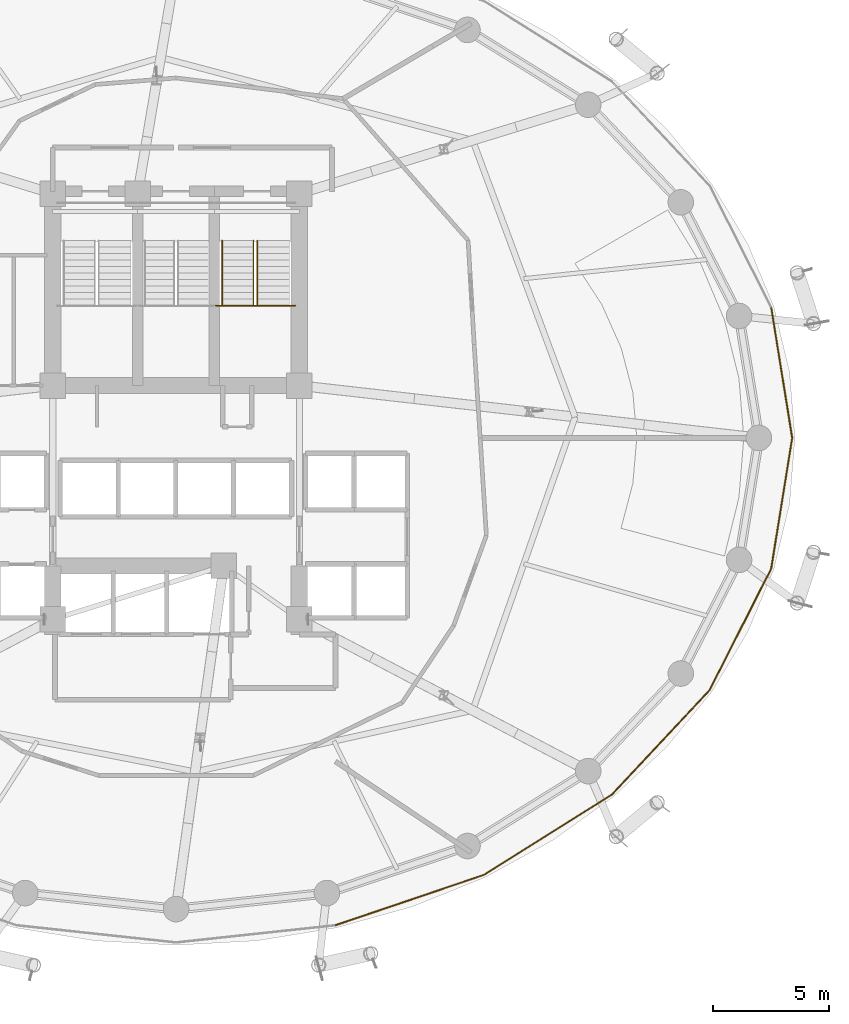
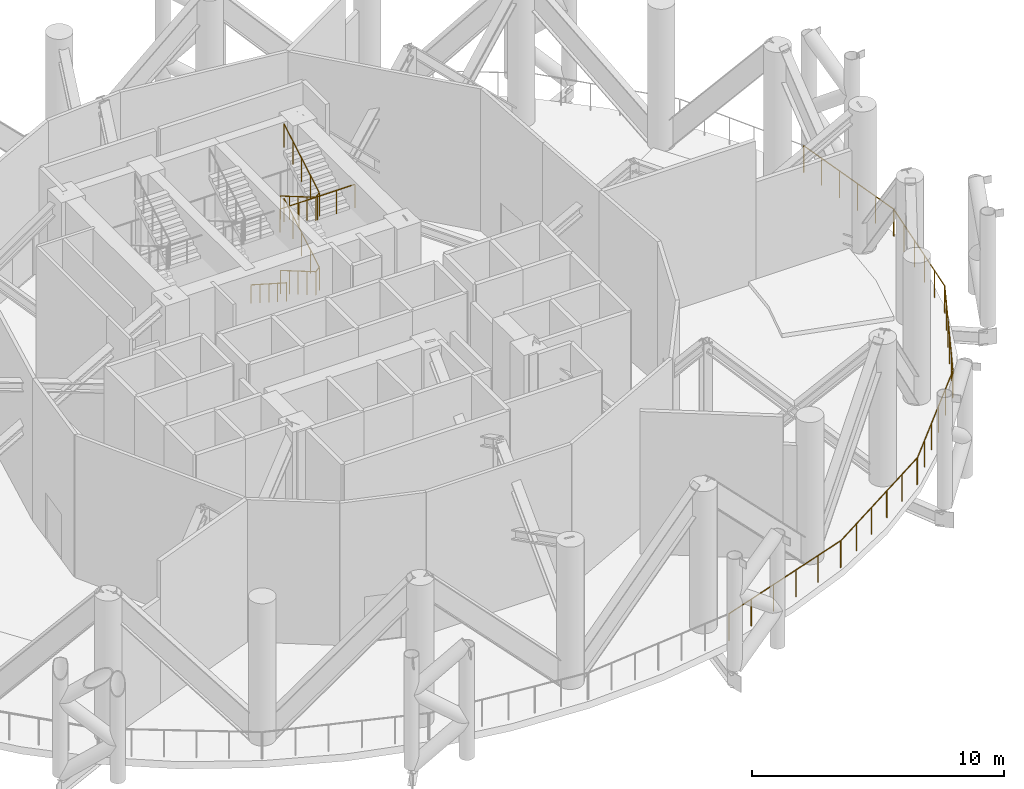
# One storey, part 17 of 19: 10 railings.
"""IFC4 building model written with IfcOpenShell, lengths in metres."""

from ifc_helpers import new_model, si_unit, direction, frame, origin, place, context, subcontext, project, spatial, polyline, outline, extrude, material, type_object, element, save


model = new_model("IFC4")

# Units and contexts
model_context = context("Model", 3, precision=1e-05, world=origin(), true_north=direction((0.0, 1.0)))
body_context = subcontext(model_context, "Body", "Model", "MODEL_VIEW")
ifc_project = project(units=[si_unit("LENGTHUNIT", "METRE"), si_unit("AREAUNIT", "SQUARE_METRE"), si_unit("VOLUMEUNIT", "CUBIC_METRE"), si_unit("PLANEANGLEUNIT", "RADIAN"), si_unit("MASSUNIT", "GRAM", prefix="KILO")], contexts=[model_context])

# Site, building, storey
site_placement = place(None, origin())
site = spatial("IfcSite", under=ifc_project, at=site_placement, CompositionType="ELEMENT")
building_placement = place(site_placement, origin())
building = spatial("IfcBuilding", under=site, at=building_placement, Name="Nuhasar Tower", CompositionType="ELEMENT")
storey_placement = place(building_placement, frame((0.0, 0.0, 106.050048828125)))
storey = spatial("IfcBuildingStorey", under=building, at=storey_placement, Name="L25", CompositionType="ELEMENT", Elevation=106.050048828125)

# Railings
ifc_material_1 = material(Name="Steel S355", Category="steel")
railing_type_1 = type_object("IfcRailingType", Name="RLG-STAIR-GUARD-1150", PredefinedType="GUARDRAIL", material=ifc_material_1)
railing_1_placement = place(storey_placement, frame((42.330078125, 35.284912109375, 0.1640625)))
element("IfcRailing", 1, at=railing_1_placement, inside=storey, type_object=railing_type_1, Name="L25 Stair ST-02 Guardrail SLT1", PredefinedType="GUARDRAIL", context=body_context, shape_type="SweptSolid", body=[
    extrude(outline(polyline([(0.024169921875, 0.0), (0.01708984375, 0.01708984375), (0.0, 0.024169921875), (-0.01708984375, 0.01708984375), (-0.024169921875, 0.0), (-0.01708984375, -0.01708984375), (0.0, -0.024169921875), (0.01708984375, -0.01708984375), (0.024169921875, 0.0)])), frame((0.0, 0.0, 1.1259765625), z_axis=(0.0, -0.863407295559, 0.504507524201), x_axis=(1.0, 0.0, 0.0)), (0.0, 0.0, 1.0), 3.24267578125),
    extrude(outline(polyline([(0.024169921875, 0.0), (0.01708984375, 0.01708984375), (0.0, 0.024169921875), (-0.01708984375, 0.01708984375), (-0.024169921875, 0.0), (-0.01708984375, -0.01708984375), (0.0, -0.024169921875), (0.01708984375, -0.01708984375), (0.024169921875, 0.0)])), frame((0.0, -2.7998046875, 2.76171875), z_axis=(0.69852372298, 0.0, 0.715586897892), x_axis=(0.0, 1.0, 0.0)), (0.0, 0.0, 1.0), 0.22900390625),
    extrude(outline(polyline([(0.024169921875, 0.0), (0.01708984375, 0.01708984375), (0.0, 0.024169921875), (-0.01708984375, 0.01708984375), (-0.024169921875, 0.0), (-0.01708984375, -0.01708984375), (0.0, -0.024169921875), (0.01708984375, -0.01708984375), (0.024169921875, 0.0)])), frame((0.159912109375, -2.7998046875, 2.92578125), z_axis=(0.0, 0.863407295559, 0.504507524201), x_axis=(-1.0, 0.0, 0.0)), (0.0, 0.0, 1.0), 3.24267578125),
    extrude(outline(polyline([(0.02099609375, 0.0), (0.014892578125, 0.014892578125), (0.0, 0.02099609375), (-0.014892578125, 0.014892578125), (-0.02099609375, 0.0), (-0.014892578125, -0.014892578125), (0.0, -0.02099609375), (0.014892578125, -0.014892578125), (0.02099609375, 0.0)])), origin(), (0.0, 0.0, 1.0), 1.101806640625),
    extrude(outline(polyline([(0.02099609375, 0.0), (0.014892578125, 0.014892578125), (0.0, 0.02099609375), (-0.014892578125, 0.014892578125), (-0.02099609375, 0.0), (-0.014892578125, -0.014892578125), (0.0, -0.02099609375), (0.014892578125, -0.014892578125), (0.02099609375, 0.0)])), frame((0.0, -0.699951171875, 0.408935546875)), (0.0, 0.0, 1.0), 1.101806640625),
    extrude(outline(polyline([(0.02099609375, 0.0), (0.014892578125, 0.014892578125), (0.0, 0.02099609375), (-0.014892578125, 0.014892578125), (-0.02099609375, 0.0), (-0.014892578125, -0.014892578125), (0.0, -0.02099609375), (0.014892578125, -0.014892578125), (0.02099609375, 0.0)])), frame((0.0, -1.39990234375, 0.81787109375)), (0.0, 0.0, 1.0), 1.101806640625),
    extrude(outline(polyline([(0.02099609375, 0.0), (0.014892578125, 0.014892578125), (0.0, 0.02099609375), (-0.014892578125, 0.014892578125), (-0.02099609375, 0.0), (-0.014892578125, -0.014892578125), (0.0, -0.02099609375), (0.014892578125, -0.014892578125), (0.02099609375, 0.0)])), frame((0.0, -2.099853515625, 1.22705078125)), (0.0, 0.0, 1.0), 1.101806640625),
    extrude(outline(polyline([(0.02099609375, 0.0), (0.014892578125, 0.014892578125), (0.0, 0.02099609375), (-0.014892578125, 0.014892578125), (-0.02099609375, 0.0), (-0.014892578125, -0.014892578125), (0.0, -0.02099609375), (0.014892578125, -0.014892578125), (0.02099609375, 0.0)])), frame((0.0, -2.7998046875, 1.635986328125)), (0.0, 0.0, 1.0), 1.101806640625),
    extrude(outline(polyline([(0.02099609375, 0.0), (0.014892578125, 0.014892578125), (0.0, 0.02099609375), (-0.014892578125, 0.014892578125), (-0.02099609375, 0.0), (-0.014892578125, -0.014892578125), (0.0, -0.02099609375), (0.014892578125, -0.014892578125), (0.02099609375, 0.0)])), frame((0.159912109375, -2.7998046875, 1.7998046875)), (0.0, 0.0, 1.0), 1.101806640625),
    extrude(outline(polyline([(0.02099609375, 0.0), (0.014892578125, 0.014892578125), (0.0, 0.02099609375), (-0.014892578125, 0.014892578125), (-0.02099609375, 0.0), (-0.014892578125, -0.014892578125), (0.0, -0.02099609375), (0.014892578125, -0.014892578125), (0.02099609375, 0.0)])), frame((0.159912109375, -2.099853515625, 2.208740234375)), (0.0, 0.0, 1.0), 1.101806640625),
    extrude(outline(polyline([(0.02099609375, 0.0), (0.014892578125, 0.014892578125), (0.0, 0.02099609375), (-0.014892578125, 0.014892578125), (-0.02099609375, 0.0), (-0.014892578125, -0.014892578125), (0.0, -0.02099609375), (0.014892578125, -0.014892578125), (0.02099609375, 0.0)])), frame((0.159912109375, -1.39990234375, 2.61767578125)), (0.0, 0.0, 1.0), 1.101806640625),
    extrude(outline(polyline([(0.02099609375, 0.0), (0.014892578125, 0.014892578125), (0.0, 0.02099609375), (-0.014892578125, 0.014892578125), (-0.02099609375, 0.0), (-0.014892578125, -0.014892578125), (0.0, -0.02099609375), (0.014892578125, -0.014892578125), (0.02099609375, 0.0)])), frame((0.159912109375, -0.699951171875, 3.02685546875)), (0.0, 0.0, 1.0), 1.101806640625),
    extrude(outline(polyline([(0.02099609375, 0.0), (0.014892578125, 0.014892578125), (0.0, 0.02099609375), (-0.014892578125, 0.014892578125), (-0.02099609375, 0.0), (-0.014892578125, -0.014892578125), (0.0, -0.02099609375), (0.014892578125, -0.014892578125), (0.02099609375, 0.0)])), frame((0.159912109375, 0.0, 3.435791015625)), (0.0, 0.0, 1.0), 1.101806640625),
])
railing_2_placement = place(storey_placement, frame((40.699951171875, 32.485107421875, 5.39990234375)))
element("IfcRailing", 2, at=railing_2_placement, inside=storey, type_object=railing_type_1, Name="L25 Stair ST-02 Guardrail LNDS2", PredefinedType="GUARDRAIL", context=body_context, shape_type="SweptSolid", body=[
    extrude(outline(polyline([(0.024169921875, 0.0), (0.01708984375, 0.01708984375), (0.0, 0.024169921875), (-0.01708984375, 0.01708984375), (-0.024169921875, 0.0), (-0.01708984375, -0.01708984375), (0.0, -0.024169921875), (0.01708984375, -0.01708984375), (0.024169921875, 0.0)])), frame((0.0, 0.0, 1.1259765625), z_axis=(1.0, 0.0, 0.0), x_axis=(0.0, 1.0, 0.0)), (0.0, 0.0, 1.0), 3.420166015625),
    extrude(outline(polyline([(0.02099609375, 0.0), (0.014892578125, 0.014892578125), (0.0, 0.02099609375), (-0.014892578125, 0.014892578125), (-0.02099609375, 0.0), (-0.014892578125, -0.014892578125), (0.0, -0.02099609375), (0.014892578125, -0.014892578125), (0.02099609375, 0.0)])), origin(), (0.0, 0.0, 1.0), 1.101806640625),
    extrude(outline(polyline([(0.02099609375, 0.0), (0.014892578125, 0.014892578125), (0.0, 0.02099609375), (-0.014892578125, 0.014892578125), (-0.02099609375, 0.0), (-0.014892578125, -0.014892578125), (0.0, -0.02099609375), (0.014892578125, -0.014892578125), (0.02099609375, 0.0)])), frame((0.85498046875, 0.0, 0.0)), (0.0, 0.0, 1.0), 1.101806640625),
    extrude(outline(polyline([(0.02099609375, 0.0), (0.014892578125, 0.014892578125), (0.0, 0.02099609375), (-0.014892578125, 0.014892578125), (-0.02099609375, 0.0), (-0.014892578125, -0.014892578125), (0.0, -0.02099609375), (0.014892578125, -0.014892578125), (0.02099609375, 0.0)])), frame((1.7099609375, 0.0, 0.0)), (0.0, 0.0, 1.0), 1.101806640625),
    extrude(outline(polyline([(0.02099609375, 0.0), (0.014892578125, 0.014892578125), (0.0, 0.02099609375), (-0.014892578125, 0.014892578125), (-0.02099609375, 0.0), (-0.014892578125, -0.014892578125), (0.0, -0.02099609375), (0.014892578125, -0.014892578125), (0.02099609375, 0.0)])), frame((2.565185546875, 0.0, 0.0)), (0.0, 0.0, 1.0), 1.101806640625),
    extrude(outline(polyline([(0.02099609375, 0.0), (0.014892578125, 0.014892578125), (0.0, 0.02099609375), (-0.014892578125, 0.014892578125), (-0.02099609375, 0.0), (-0.014892578125, -0.014892578125), (0.0, -0.02099609375), (0.014892578125, -0.014892578125), (0.02099609375, 0.0)])), frame((3.420166015625, 0.0, 0.0)), (0.0, 0.0, 1.0), 1.101806640625),
])
railing_3_placement = place(storey_placement, frame((42.330078125, 35.284912109375, 3.763916015625)))
element("IfcRailing", 3, at=railing_3_placement, inside=storey, type_object=railing_type_1, Name="L25 Stair ST-02 Guardrail SLT2", PredefinedType="GUARDRAIL", context=body_context, shape_type="SweptSolid", body=[
    extrude(outline(polyline([(0.024169921875, 0.0), (0.01708984375, 0.01708984375), (0.0, 0.024169921875), (-0.01708984375, 0.01708984375), (-0.024169921875, 0.0), (-0.01708984375, -0.01708984375), (0.0, -0.024169921875), (0.01708984375, -0.01708984375), (0.024169921875, 0.0)])), frame((0.0, 0.0, 1.1259765625), z_axis=(0.0, -0.863407295559, 0.504507524201), x_axis=(1.0, 0.0, 0.0)), (0.0, 0.0, 1.0), 3.24267578125),
    extrude(outline(polyline([(0.024169921875, 0.0), (0.01708984375, 0.01708984375), (0.0, 0.024169921875), (-0.01708984375, 0.01708984375), (-0.024169921875, 0.0), (-0.01708984375, -0.01708984375), (0.0, -0.024169921875), (0.01708984375, -0.01708984375), (0.024169921875, 0.0)])), frame((0.0, -2.7998046875, 2.76171875), z_axis=(0.697990867133, 0.0, 0.716106660631), x_axis=(0.0, 1.0, 0.0)), (0.0, 0.0, 1.0), 0.22900390625),
    extrude(outline(polyline([(0.024169921875, 0.0), (0.01708984375, 0.01708984375), (0.0, 0.024169921875), (-0.01708984375, 0.01708984375), (-0.024169921875, 0.0), (-0.01708984375, -0.01708984375), (0.0, -0.024169921875), (0.01708984375, -0.01708984375), (0.024169921875, 0.0)])), frame((0.159912109375, -2.7998046875, 2.92578125), z_axis=(0.0, 0.863407295559, 0.504507524201), x_axis=(-1.0, 0.0, 0.0)), (0.0, 0.0, 1.0), 3.24267578125),
    extrude(outline(polyline([(0.02099609375, 0.0), (0.014892578125, 0.014892578125), (0.0, 0.02099609375), (-0.014892578125, 0.014892578125), (-0.02099609375, 0.0), (-0.014892578125, -0.014892578125), (0.0, -0.02099609375), (0.014892578125, -0.014892578125), (0.02099609375, 0.0)])), origin(), (0.0, 0.0, 1.0), 1.101806640625),
    extrude(outline(polyline([(0.02099609375, 0.0), (0.014892578125, 0.014892578125), (0.0, 0.02099609375), (-0.014892578125, 0.014892578125), (-0.02099609375, 0.0), (-0.014892578125, -0.014892578125), (0.0, -0.02099609375), (0.014892578125, -0.014892578125), (0.02099609375, 0.0)])), frame((0.0, -0.699951171875, 0.408935546875)), (0.0, 0.0, 1.0), 1.101806640625),
    extrude(outline(polyline([(0.02099609375, 0.0), (0.014892578125, 0.014892578125), (0.0, 0.02099609375), (-0.014892578125, 0.014892578125), (-0.02099609375, 0.0), (-0.014892578125, -0.014892578125), (0.0, -0.02099609375), (0.014892578125, -0.014892578125), (0.02099609375, 0.0)])), frame((0.0, -1.39990234375, 0.81787109375)), (0.0, 0.0, 1.0), 1.101806640625),
    extrude(outline(polyline([(0.02099609375, 0.0), (0.014892578125, 0.014892578125), (0.0, 0.02099609375), (-0.014892578125, 0.014892578125), (-0.02099609375, 0.0), (-0.014892578125, -0.014892578125), (0.0, -0.02099609375), (0.014892578125, -0.014892578125), (0.02099609375, 0.0)])), frame((0.0, -2.099853515625, 1.22705078125)), (0.0, 0.0, 1.0), 1.101806640625),
    extrude(outline(polyline([(0.02099609375, 0.0), (0.014892578125, 0.014892578125), (0.0, 0.02099609375), (-0.014892578125, 0.014892578125), (-0.02099609375, 0.0), (-0.014892578125, -0.014892578125), (0.0, -0.02099609375), (0.014892578125, -0.014892578125), (0.02099609375, 0.0)])), frame((0.0, -2.7998046875, 1.635986328125)), (0.0, 0.0, 1.0), 1.101806640625),
    extrude(outline(polyline([(0.02099609375, 0.0), (0.014892578125, 0.014892578125), (0.0, 0.02099609375), (-0.014892578125, 0.014892578125), (-0.02099609375, 0.0), (-0.014892578125, -0.014892578125), (0.0, -0.02099609375), (0.014892578125, -0.014892578125), (0.02099609375, 0.0)])), frame((0.159912109375, -2.7998046875, 1.800048828125)), (0.0, 0.0, 1.0), 1.101806640625),
    extrude(outline(polyline([(0.02099609375, 0.0), (0.014892578125, 0.014892578125), (0.0, 0.02099609375), (-0.014892578125, 0.014892578125), (-0.02099609375, 0.0), (-0.014892578125, -0.014892578125), (0.0, -0.02099609375), (0.014892578125, -0.014892578125), (0.02099609375, 0.0)])), frame((0.159912109375, -2.099853515625, 2.208984375)), (0.0, 0.0, 1.0), 1.101806640625),
    extrude(outline(polyline([(0.02099609375, 0.0), (0.014892578125, 0.014892578125), (0.0, 0.02099609375), (-0.014892578125, 0.014892578125), (-0.02099609375, 0.0), (-0.014892578125, -0.014892578125), (0.0, -0.02099609375), (0.014892578125, -0.014892578125), (0.02099609375, 0.0)])), frame((0.159912109375, -1.39990234375, 2.6181640625)), (0.0, 0.0, 1.0), 1.101806640625),
    extrude(outline(polyline([(0.02099609375, 0.0), (0.014892578125, 0.014892578125), (0.0, 0.02099609375), (-0.014892578125, 0.014892578125), (-0.02099609375, 0.0), (-0.014892578125, -0.014892578125), (0.0, -0.02099609375), (0.014892578125, -0.014892578125), (0.02099609375, 0.0)])), frame((0.159912109375, -0.699951171875, 3.027099609375)), (0.0, 0.0, 1.0), 1.101806640625),
    extrude(outline(polyline([(0.02099609375, 0.0), (0.014892578125, 0.014892578125), (0.0, 0.02099609375), (-0.014892578125, 0.014892578125), (-0.02099609375, 0.0), (-0.014892578125, -0.014892578125), (0.0, -0.02099609375), (0.014892578125, -0.014892578125), (0.02099609375, 0.0)])), frame((0.159912109375, 0.0, 3.43603515625)), (0.0, 0.0, 1.0), 1.101806640625),
])
ifc_material_2 = material(Name="Stainless Steel 316L", Category="steel")
railing_type_2 = type_object("IfcRailingType", Name="RLG-STAIR-HAND-920", PredefinedType="HANDRAIL", material=ifc_material_2)
railing_4_placement = place(storey_placement, frame((40.989990234375, 35.284912109375, 0.1640625)))
element("IfcRailing", 4, at=railing_4_placement, inside=storey, type_object=railing_type_2, Name="L25 Stair ST-02 Handrail HNDA1", PredefinedType="HANDRAIL", context=body_context, shape_type="SweptSolid", body=[
    extrude(outline(polyline([(0.024169921875, 0.0), (0.01708984375, 0.01708984375), (0.0, 0.024169921875), (-0.01708984375, 0.01708984375), (-0.024169921875, 0.0), (-0.01708984375, -0.01708984375), (0.0, -0.024169921875), (0.01708984375, -0.01708984375), (0.024169921875, 0.0)])), frame((0.0, 0.0, 0.89599609375), z_axis=(0.0, -0.841188008214, 0.540742762169), x_axis=(1.0, 0.0, 0.0)), (0.0, 0.0, 1.0), 3.328369140625),
    extrude(outline(polyline([(0.02099609375, 0.0), (0.014892578125, 0.014892578125), (0.0, 0.02099609375), (-0.014892578125, 0.014892578125), (-0.02099609375, 0.0), (-0.014892578125, -0.014892578125), (0.0, -0.02099609375), (0.014892578125, -0.014892578125), (0.02099609375, 0.0)])), origin(), (0.0, 0.0, 1.0), 0.871826171875),
    extrude(outline(polyline([(0.02099609375, 0.0), (0.014892578125, 0.014892578125), (0.0, 0.02099609375), (-0.014892578125, 0.014892578125), (-0.02099609375, 0.0), (-0.014892578125, -0.014892578125), (0.0, -0.02099609375), (0.014892578125, -0.014892578125), (0.02099609375, 0.0)])), frame((0.0, -0.699951171875, 0.449951171875)), (0.0, 0.0, 1.0), 0.871826171875),
    extrude(outline(polyline([(0.02099609375, 0.0), (0.014892578125, 0.014892578125), (0.0, 0.02099609375), (-0.014892578125, 0.014892578125), (-0.02099609375, 0.0), (-0.014892578125, -0.014892578125), (0.0, -0.02099609375), (0.014892578125, -0.014892578125), (0.02099609375, 0.0)])), frame((0.0, -1.39990234375, 0.89990234375)), (0.0, 0.0, 1.0), 0.871826171875),
    extrude(outline(polyline([(0.02099609375, 0.0), (0.014892578125, 0.014892578125), (0.0, 0.02099609375), (-0.014892578125, 0.014892578125), (-0.02099609375, 0.0), (-0.014892578125, -0.014892578125), (0.0, -0.02099609375), (0.014892578125, -0.014892578125), (0.02099609375, 0.0)])), frame((0.0, -2.099853515625, 1.349853515625)), (0.0, 0.0, 1.0), 0.871826171875),
    extrude(outline(polyline([(0.02099609375, 0.0), (0.014892578125, 0.014892578125), (0.0, 0.02099609375), (-0.014892578125, 0.014892578125), (-0.02099609375, 0.0), (-0.014892578125, -0.014892578125), (0.0, -0.02099609375), (0.014892578125, -0.014892578125), (0.02099609375, 0.0)])), frame((0.0, -2.7998046875, 1.7998046875)), (0.0, 0.0, 1.0), 0.871826171875),
])
railing_type_3 = type_object("IfcRailingType", Name="RLG-WIND-1320", PredefinedType="GUARDRAIL", material=ifc_material_2)
railing_5_placement = place(storey_placement, frame((65.47998046875, 26.800048828125, 0.0)))
element("IfcRailing", 5, at=railing_5_placement, inside=storey, type_object=railing_type_3, Name="L25 Open Wind Floor Perimeter Guardrail 01", PredefinedType="GUARDRAIL", context=body_context, shape_type="SweptSolid", body=[
    extrude(outline(polyline([(0.024169921875, 0.0), (0.01708984375, 0.01708984375), (0.0, 0.024169921875), (-0.01708984375, 0.01708984375), (-0.024169921875, 0.0), (-0.01708984375, -0.01708984375), (0.0, -0.024169921875), (0.01708984375, -0.01708984375), (0.024169921875, 0.0)])), frame((0.0, 0.0, 1.2958984375), z_axis=(-0.158763188837, 0.987316691781, 0.0), x_axis=(-0.987316691781, -0.158763188837, 0.0)), (0.0, 0.0, 1.0), 5.6435546875),
    extrude(outline(polyline([(0.02099609375, 0.0), (0.014892578125, 0.014892578125), (0.0, 0.02099609375), (-0.014892578125, 0.014892578125), (-0.02099609375, 0.0), (-0.014892578125, -0.014892578125), (0.0, -0.02099609375), (0.014892578125, -0.014892578125), (0.02099609375, 0.0)])), origin(), (0.0, 0.0, 1.0), 1.27197265625),
    extrude(outline(polyline([(0.02099609375, 0.0), (0.014892578125, 0.014892578125), (0.0, 0.02099609375), (-0.014892578125, 0.014892578125), (-0.02099609375, 0.0), (-0.014892578125, -0.014892578125), (0.0, -0.02099609375), (0.014892578125, -0.014892578125), (0.02099609375, 0.0)])), frame((-0.17919921875, 1.114501953125, 0.0)), (0.0, 0.0, 1.0), 1.27197265625),
    extrude(outline(polyline([(0.02099609375, 0.0), (0.014892578125, 0.014892578125), (0.0, 0.02099609375), (-0.014892578125, 0.014892578125), (-0.02099609375, 0.0), (-0.014892578125, -0.014892578125), (0.0, -0.02099609375), (0.014892578125, -0.014892578125), (0.02099609375, 0.0)])), frame((-0.3583984375, 2.228759765625, 0.0)), (0.0, 0.0, 1.0), 1.27197265625),
    extrude(outline(polyline([(0.02099609375, 0.0), (0.014892578125, 0.014892578125), (0.0, 0.02099609375), (-0.014892578125, 0.014892578125), (-0.02099609375, 0.0), (-0.014892578125, -0.014892578125), (0.0, -0.02099609375), (0.014892578125, -0.014892578125), (0.02099609375, 0.0)])), frame((-0.53759765625, 3.34326171875, 0.0)), (0.0, 0.0, 1.0), 1.27197265625),
    extrude(outline(polyline([(0.02099609375, 0.0), (0.014892578125, 0.014892578125), (0.0, 0.02099609375), (-0.014892578125, 0.014892578125), (-0.02099609375, 0.0), (-0.014892578125, -0.014892578125), (0.0, -0.02099609375), (0.014892578125, -0.014892578125), (0.02099609375, 0.0)])), frame((-0.716796875, 4.45751953125, 0.0)), (0.0, 0.0, 1.0), 1.27197265625),
    extrude(outline(polyline([(0.02099609375, 0.0), (0.014892578125, 0.014892578125), (0.0, 0.02099609375), (-0.014892578125, 0.014892578125), (-0.02099609375, 0.0), (-0.014892578125, -0.014892578125), (0.0, -0.02099609375), (0.014892578125, -0.014892578125), (0.02099609375, 0.0)])), frame((-0.89599609375, 5.572021484375, 0.0)), (0.0, 0.0, 1.0), 1.27197265625),
])
railing_6_placement = place(storey_placement, frame((45.85400390625, 5.85888671875, 0.0)))
element("IfcRailing", 6, at=railing_6_placement, inside=storey, type_object=railing_type_3, Name="L25 Open Wind Floor Perimeter Guardrail 20", PredefinedType="GUARDRAIL", context=body_context, shape_type="SweptSolid", body=[
    extrude(outline(polyline([(0.024169921875, 0.0), (0.01708984375, 0.01708984375), (0.0, 0.024169921875), (-0.01708984375, 0.01708984375), (-0.024169921875, 0.0), (-0.01708984375, -0.01708984375), (0.0, -0.024169921875), (0.01708984375, -0.01708984375), (0.024169921875, 0.0)])), frame((0.0, 0.0, 1.2958984375), z_axis=(0.947009368833, 0.321205939146, 0.0), x_axis=(-0.321205939146, 0.947009368833, 0.0)), (0.0, 0.0, 1.0), 6.703125),
    extrude(outline(polyline([(0.02099609375, 0.0), (0.014892578125, 0.014892578125), (0.0, 0.02099609375), (-0.014892578125, 0.014892578125), (-0.02099609375, 0.0), (-0.014892578125, -0.014892578125), (0.0, -0.02099609375), (0.014892578125, -0.014892578125), (0.02099609375, 0.0)])), origin(), (0.0, 0.0, 1.0), 1.27197265625),
    extrude(outline(polyline([(0.02099609375, 0.0), (0.014892578125, 0.014892578125), (0.0, 0.02099609375), (-0.014892578125, 0.014892578125), (-0.02099609375, 0.0), (-0.014892578125, -0.014892578125), (0.0, -0.02099609375), (0.014892578125, -0.014892578125), (0.02099609375, 0.0)])), frame((1.26953125, 0.4306640625, 0.0)), (0.0, 0.0, 1.0), 1.27197265625),
    extrude(outline(polyline([(0.02099609375, 0.0), (0.014892578125, 0.014892578125), (0.0, 0.02099609375), (-0.014892578125, 0.014892578125), (-0.02099609375, 0.0), (-0.014892578125, -0.014892578125), (0.0, -0.02099609375), (0.014892578125, -0.014892578125), (0.02099609375, 0.0)])), frame((2.5390625, 0.861328125, 0.0)), (0.0, 0.0, 1.0), 1.27197265625),
    extrude(outline(polyline([(0.02099609375, 0.0), (0.014892578125, 0.014892578125), (0.0, 0.02099609375), (-0.014892578125, 0.014892578125), (-0.02099609375, 0.0), (-0.014892578125, -0.014892578125), (0.0, -0.02099609375), (0.014892578125, -0.014892578125), (0.02099609375, 0.0)])), frame((3.808837890625, 1.291748046875, 0.0)), (0.0, 0.0, 1.0), 1.27197265625),
    extrude(outline(polyline([(0.02099609375, 0.0), (0.014892578125, 0.014892578125), (0.0, 0.02099609375), (-0.014892578125, 0.014892578125), (-0.02099609375, 0.0), (-0.014892578125, -0.014892578125), (0.0, -0.02099609375), (0.014892578125, -0.014892578125), (0.02099609375, 0.0)])), frame((5.078369140625, 1.722412109375, 0.0)), (0.0, 0.0, 1.0), 1.27197265625),
    extrude(outline(polyline([(0.02099609375, 0.0), (0.014892578125, 0.014892578125), (0.0, 0.02099609375), (-0.014892578125, 0.014892578125), (-0.02099609375, 0.0), (-0.014892578125, -0.014892578125), (0.0, -0.02099609375), (0.014892578125, -0.014892578125), (0.02099609375, 0.0)])), frame((6.347900390625, 2.153076171875, 0.0)), (0.0, 0.0, 1.0), 1.27197265625),
])
railing_7_placement = place(storey_placement, frame((52.239990234375, 8.02490234375, 0.0)))
element("IfcRailing", 7, at=railing_7_placement, inside=storey, type_object=railing_type_3, Name="L25 Open Wind Floor Perimeter Guardrail 21", PredefinedType="GUARDRAIL", context=body_context, shape_type="SweptSolid", body=[
    extrude(outline(polyline([(0.024169921875, 0.0), (0.01708984375, 0.01708984375), (0.0, 0.024169921875), (-0.01708984375, 0.01708984375), (-0.024169921875, 0.0), (-0.01708984375, -0.01708984375), (0.0, -0.024169921875), (0.01708984375, -0.01708984375), (0.024169921875, 0.0)])), frame((0.0, 0.0, 1.2958984375), z_axis=(0.846749326505, 0.531992084587, 0.0), x_axis=(-0.531992084587, 0.846749326505, 0.0)), (0.0, 0.0, 1.0), 6.436279296875),
    extrude(outline(polyline([(0.02099609375, 0.0), (0.014892578125, 0.014892578125), (0.0, 0.02099609375), (-0.014892578125, 0.014892578125), (-0.02099609375, 0.0), (-0.014892578125, -0.014892578125), (0.0, -0.02099609375), (0.014892578125, -0.014892578125), (0.02099609375, 0.0)])), origin(), (0.0, 0.0, 1.0), 1.27197265625),
    extrude(outline(polyline([(0.02099609375, 0.0), (0.014892578125, 0.014892578125), (0.0, 0.02099609375), (-0.014892578125, 0.014892578125), (-0.02099609375, 0.0), (-0.014892578125, -0.014892578125), (0.0, -0.02099609375), (0.014892578125, -0.014892578125), (0.02099609375, 0.0)])), frame((1.090087890625, 0.684814453125, 0.0)), (0.0, 0.0, 1.0), 1.27197265625),
    extrude(outline(polyline([(0.02099609375, 0.0), (0.014892578125, 0.014892578125), (0.0, 0.02099609375), (-0.014892578125, 0.014892578125), (-0.02099609375, 0.0), (-0.014892578125, -0.014892578125), (0.0, -0.02099609375), (0.014892578125, -0.014892578125), (0.02099609375, 0.0)])), frame((2.179931640625, 1.36962890625, 0.0)), (0.0, 0.0, 1.0), 1.27197265625),
    extrude(outline(polyline([(0.02099609375, 0.0), (0.014892578125, 0.014892578125), (0.0, 0.02099609375), (-0.014892578125, 0.014892578125), (-0.02099609375, 0.0), (-0.014892578125, -0.014892578125), (0.0, -0.02099609375), (0.014892578125, -0.014892578125), (0.02099609375, 0.0)])), frame((3.27001953125, 2.054443359375, 0.0)), (0.0, 0.0, 1.0), 1.27197265625),
    extrude(outline(polyline([(0.02099609375, 0.0), (0.014892578125, 0.014892578125), (0.0, 0.02099609375), (-0.014892578125, 0.014892578125), (-0.02099609375, 0.0), (-0.014892578125, -0.014892578125), (0.0, -0.02099609375), (0.014892578125, -0.014892578125), (0.02099609375, 0.0)])), frame((4.35986328125, 2.7392578125, 0.0)), (0.0, 0.0, 1.0), 1.27197265625),
    extrude(outline(polyline([(0.02099609375, 0.0), (0.014892578125, 0.014892578125), (0.0, 0.02099609375), (-0.014892578125, 0.014892578125), (-0.02099609375, 0.0), (-0.014892578125, -0.014892578125), (0.0, -0.02099609375), (0.014892578125, -0.014892578125), (0.02099609375, 0.0)])), frame((5.449951171875, 3.424072265625, 0.0)), (0.0, 0.0, 1.0), 1.27197265625),
])
railing_8_placement = place(storey_placement, frame((57.72412109375, 11.469970703125, 0.0)))
element("IfcRailing", 8, at=railing_8_placement, inside=storey, type_object=railing_type_3, Name="L25 Open Wind Floor Perimeter Guardrail 22", PredefinedType="GUARDRAIL", context=body_context, shape_type="SweptSolid", body=[
    extrude(outline(polyline([(0.024169921875, 0.0), (0.01708984375, 0.01708984375), (0.0, 0.024169921875), (-0.01708984375, 0.01708984375), (-0.024169921875, 0.0), (-0.01708984375, -0.01708984375), (0.0, -0.024169921875), (0.01708984375, -0.01708984375), (0.024169921875, 0.0)])), frame((0.0, 0.0, 1.2958984375), z_axis=(0.683834857776, 0.729636818761, 0.0), x_axis=(-0.729636818761, 0.683834857776, 0.0)), (0.0, 0.0, 1.0), 6.114013671875),
    extrude(outline(polyline([(0.02099609375, 0.0), (0.014892578125, 0.014892578125), (0.0, 0.02099609375), (-0.014892578125, 0.014892578125), (-0.02099609375, 0.0), (-0.014892578125, -0.014892578125), (0.0, -0.02099609375), (0.014892578125, -0.014892578125), (0.02099609375, 0.0)])), origin(), (0.0, 0.0, 1.0), 1.27197265625),
    extrude(outline(polyline([(0.02099609375, 0.0), (0.014892578125, 0.014892578125), (0.0, 0.02099609375), (-0.014892578125, 0.014892578125), (-0.02099609375, 0.0), (-0.014892578125, -0.014892578125), (0.0, -0.02099609375), (0.014892578125, -0.014892578125), (0.02099609375, 0.0)])), frame((0.836181640625, 0.89208984375, 0.0)), (0.0, 0.0, 1.0), 1.27197265625),
    extrude(outline(polyline([(0.02099609375, 0.0), (0.014892578125, 0.014892578125), (0.0, 0.02099609375), (-0.014892578125, 0.014892578125), (-0.02099609375, 0.0), (-0.014892578125, -0.014892578125), (0.0, -0.02099609375), (0.014892578125, -0.014892578125), (0.02099609375, 0.0)])), frame((1.67236328125, 1.784423828125, 0.0)), (0.0, 0.0, 1.0), 1.27197265625),
    extrude(outline(polyline([(0.02099609375, 0.0), (0.014892578125, 0.014892578125), (0.0, 0.02099609375), (-0.014892578125, 0.014892578125), (-0.02099609375, 0.0), (-0.014892578125, -0.014892578125), (0.0, -0.02099609375), (0.014892578125, -0.014892578125), (0.02099609375, 0.0)])), frame((2.508544921875, 2.676513671875, 0.0)), (0.0, 0.0, 1.0), 1.27197265625),
    extrude(outline(polyline([(0.02099609375, 0.0), (0.014892578125, 0.014892578125), (0.0, 0.02099609375), (-0.014892578125, 0.014892578125), (-0.02099609375, 0.0), (-0.014892578125, -0.014892578125), (0.0, -0.02099609375), (0.014892578125, -0.014892578125), (0.02099609375, 0.0)])), frame((3.3447265625, 3.56884765625, 0.0)), (0.0, 0.0, 1.0), 1.27197265625),
    extrude(outline(polyline([(0.02099609375, 0.0), (0.014892578125, 0.014892578125), (0.0, 0.02099609375), (-0.014892578125, 0.014892578125), (-0.02099609375, 0.0), (-0.014892578125, -0.014892578125), (0.0, -0.02099609375), (0.014892578125, -0.014892578125), (0.02099609375, 0.0)])), frame((4.180908203125, 4.4609375, 0.0)), (0.0, 0.0, 1.0), 1.27197265625),
])
railing_9_placement = place(storey_placement, frame((61.931884765625, 15.9599609375, 0.0)))
element("IfcRailing", 9, at=railing_9_placement, inside=storey, type_object=railing_type_3, Name="L25 Open Wind Floor Perimeter Guardrail 23", PredefinedType="GUARDRAIL", context=body_context, shape_type="SweptSolid", body=[
    extrude(outline(polyline([(0.024169921875, 0.0), (0.01708984375, 0.01708984375), (0.0, 0.024169921875), (-0.01708984375, 0.01708984375), (-0.024169921875, 0.0), (-0.01708984375, -0.01708984375), (0.0, -0.024169921875), (0.01708984375, -0.01708984375), (0.024169921875, 0.0)])), frame((0.0, 0.0, 1.2958984375), z_axis=(0.451553973473, 0.892243805829, 0.0), x_axis=(-0.892243805829, 0.451553973473, 0.0)), (0.0, 0.0, 1.0), 5.8203125),
    extrude(outline(polyline([(0.02099609375, 0.0), (0.014892578125, 0.014892578125), (0.0, 0.02099609375), (-0.014892578125, 0.014892578125), (-0.02099609375, 0.0), (-0.014892578125, -0.014892578125), (0.0, -0.02099609375), (0.014892578125, -0.014892578125), (0.02099609375, 0.0)])), origin(), (0.0, 0.0, 1.0), 1.27197265625),
    extrude(outline(polyline([(0.02099609375, 0.0), (0.014892578125, 0.014892578125), (0.0, 0.02099609375), (-0.014892578125, 0.014892578125), (-0.02099609375, 0.0), (-0.014892578125, -0.014892578125), (0.0, -0.02099609375), (0.014892578125, -0.014892578125), (0.02099609375, 0.0)])), frame((0.525634765625, 1.03857421875, 0.0)), (0.0, 0.0, 1.0), 1.27197265625),
    extrude(outline(polyline([(0.02099609375, 0.0), (0.014892578125, 0.014892578125), (0.0, 0.02099609375), (-0.014892578125, 0.014892578125), (-0.02099609375, 0.0), (-0.014892578125, -0.014892578125), (0.0, -0.02099609375), (0.014892578125, -0.014892578125), (0.02099609375, 0.0)])), frame((1.05126953125, 2.0771484375, 0.0)), (0.0, 0.0, 1.0), 1.27197265625),
    extrude(outline(polyline([(0.02099609375, 0.0), (0.014892578125, 0.014892578125), (0.0, 0.02099609375), (-0.014892578125, 0.014892578125), (-0.02099609375, 0.0), (-0.014892578125, -0.014892578125), (0.0, -0.02099609375), (0.014892578125, -0.014892578125), (0.02099609375, 0.0)])), frame((1.576904296875, 3.115966796875, 0.0)), (0.0, 0.0, 1.0), 1.27197265625),
    extrude(outline(polyline([(0.02099609375, 0.0), (0.014892578125, 0.014892578125), (0.0, 0.02099609375), (-0.014892578125, 0.014892578125), (-0.02099609375, 0.0), (-0.014892578125, -0.014892578125), (0.0, -0.02099609375), (0.014892578125, -0.014892578125), (0.02099609375, 0.0)])), frame((2.1025390625, 4.154541015625, 0.0)), (0.0, 0.0, 1.0), 1.27197265625),
    extrude(outline(polyline([(0.02099609375, 0.0), (0.014892578125, 0.014892578125), (0.0, 0.02099609375), (-0.014892578125, 0.014892578125), (-0.02099609375, 0.0), (-0.014892578125, -0.014892578125), (0.0, -0.02099609375), (0.014892578125, -0.014892578125), (0.02099609375, 0.0)])), frame((2.628173828125, 5.193115234375, 0.0)), (0.0, 0.0, 1.0), 1.27197265625),
])
railing_10_placement = place(storey_placement, frame((64.577880859375, 21.18896484375, 0.0)))
element("IfcRailing", 10, at=railing_10_placement, inside=storey, type_object=railing_type_3, Name="L25 Open Wind Floor Perimeter Guardrail 24", PredefinedType="GUARDRAIL", context=body_context, shape_type="SweptSolid", body=[
    extrude(outline(polyline([(0.024169921875, 0.0), (0.01708984375, 0.01708984375), (0.0, 0.024169921875), (-0.01708984375, 0.01708984375), (-0.024169921875, 0.0), (-0.01708984375, -0.01708984375), (0.0, -0.024169921875), (0.01708984375, -0.01708984375), (0.024169921875, 0.0)])), frame((0.0, 0.0, 1.2958984375), z_axis=(0.158805357734, 0.987309909985, 0.0), x_axis=(-0.987309909985, 0.158805357734, 0.0)), (0.0, 0.0, 1.0), 5.6435546875),
    extrude(outline(polyline([(0.02099609375, 0.0), (0.014892578125, 0.014892578125), (0.0, 0.02099609375), (-0.014892578125, 0.014892578125), (-0.02099609375, 0.0), (-0.014892578125, -0.014892578125), (0.0, -0.02099609375), (0.014892578125, -0.014892578125), (0.02099609375, 0.0)])), origin(), (0.0, 0.0, 1.0), 1.27197265625),
    extrude(outline(polyline([(0.02099609375, 0.0), (0.014892578125, 0.014892578125), (0.0, 0.02099609375), (-0.014892578125, 0.014892578125), (-0.02099609375, 0.0), (-0.014892578125, -0.014892578125), (0.0, -0.02099609375), (0.014892578125, -0.014892578125), (0.02099609375, 0.0)])), frame((0.17919921875, 1.114501953125, 0.0)), (0.0, 0.0, 1.0), 1.27197265625),
    extrude(outline(polyline([(0.02099609375, 0.0), (0.014892578125, 0.014892578125), (0.0, 0.02099609375), (-0.014892578125, 0.014892578125), (-0.02099609375, 0.0), (-0.014892578125, -0.014892578125), (0.0, -0.02099609375), (0.014892578125, -0.014892578125), (0.02099609375, 0.0)])), frame((0.3583984375, 2.228759765625, 0.0)), (0.0, 0.0, 1.0), 1.27197265625),
    extrude(outline(polyline([(0.02099609375, 0.0), (0.014892578125, 0.014892578125), (0.0, 0.02099609375), (-0.014892578125, 0.014892578125), (-0.02099609375, 0.0), (-0.014892578125, -0.014892578125), (0.0, -0.02099609375), (0.014892578125, -0.014892578125), (0.02099609375, 0.0)])), frame((0.537841796875, 3.34326171875, 0.0)), (0.0, 0.0, 1.0), 1.27197265625),
    extrude(outline(polyline([(0.02099609375, 0.0), (0.014892578125, 0.014892578125), (0.0, 0.02099609375), (-0.014892578125, 0.014892578125), (-0.02099609375, 0.0), (-0.014892578125, -0.014892578125), (0.0, -0.02099609375), (0.014892578125, -0.014892578125), (0.02099609375, 0.0)])), frame((0.717041015625, 4.45751953125, 0.0)), (0.0, 0.0, 1.0), 1.27197265625),
    extrude(outline(polyline([(0.02099609375, 0.0), (0.014892578125, 0.014892578125), (0.0, 0.02099609375), (-0.014892578125, 0.014892578125), (-0.02099609375, 0.0), (-0.014892578125, -0.014892578125), (0.0, -0.02099609375), (0.014892578125, -0.014892578125), (0.02099609375, 0.0)])), frame((0.896240234375, 5.572021484375, 0.0)), (0.0, 0.0, 1.0), 1.27197265625),
])

save(model, "model.ifc")
